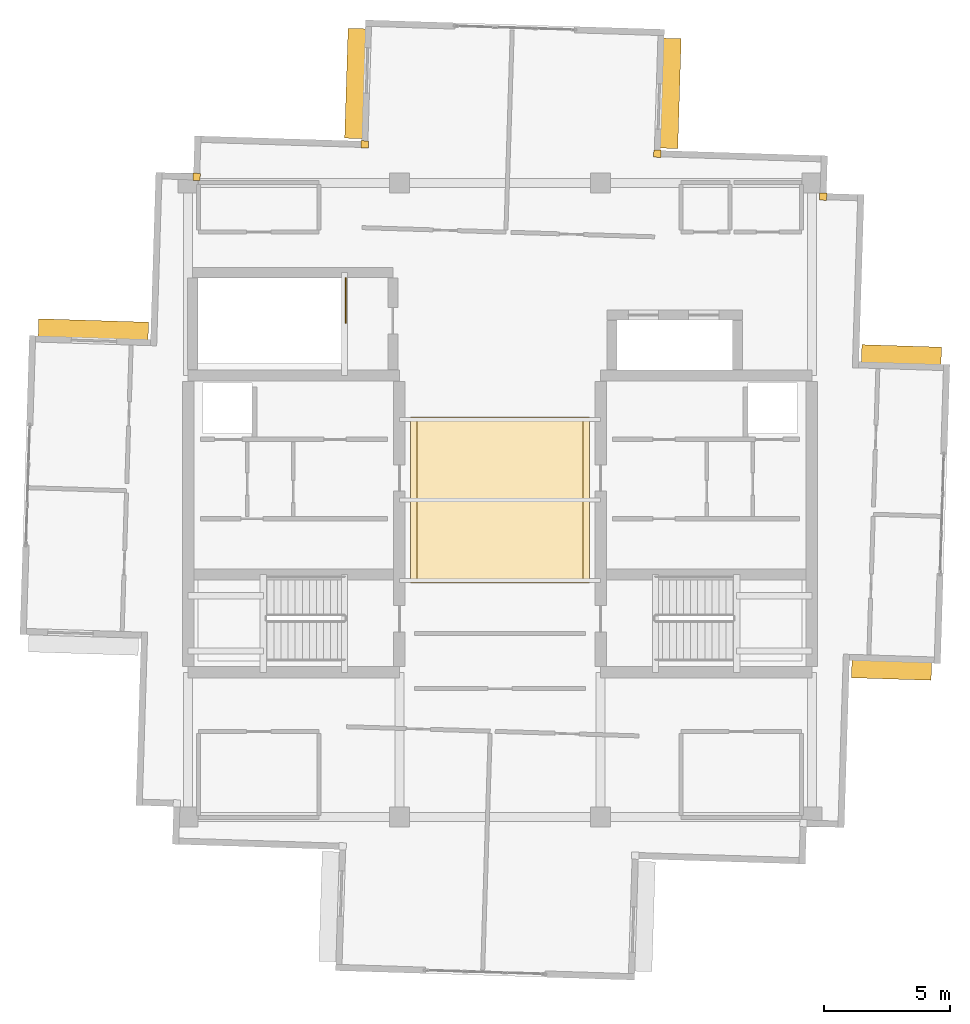
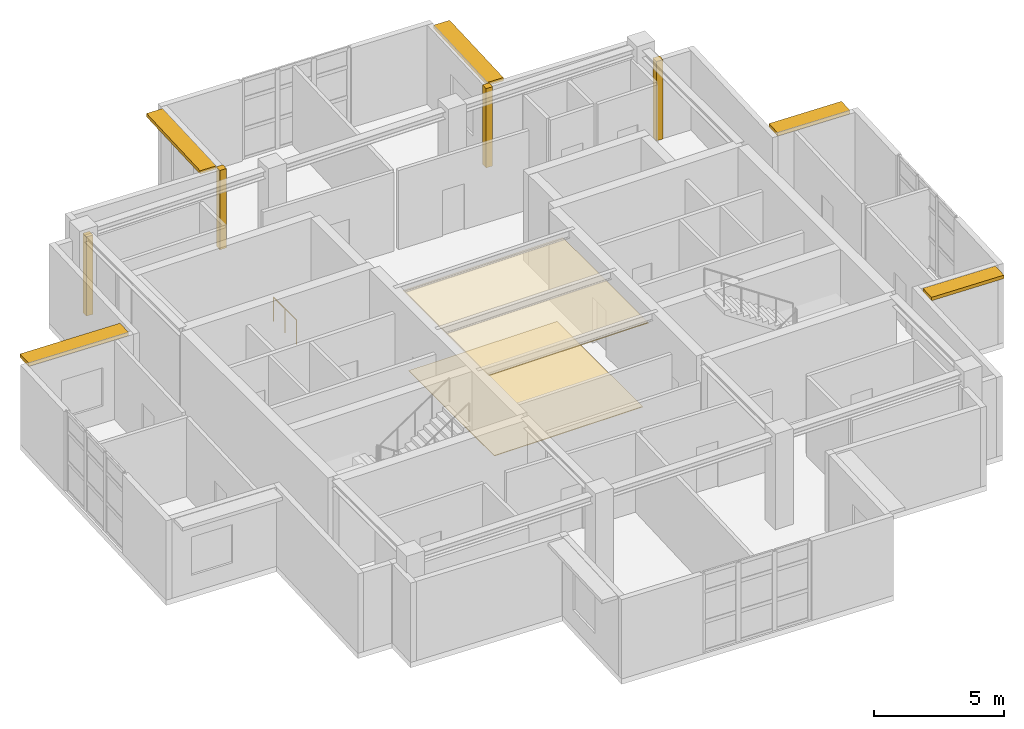
# One storey, part 14 of 14: 6 coverings, 5 shading devices, 1 railing.
"""IFC4 building model written with IfcOpenShell, lengths in metres."""

from ifc_helpers import new_model, si_unit, direction, frame, origin, origin_with_axes, origin_2d, place, context, subcontext, project, spatial, rectangle, circle, extrude, material, layer, layer_set, type_object, element, save


model = new_model("IFC4")

# Units and contexts
model_context = context("Model", 3, precision=1e-05, world=origin(), true_north=direction((0.0, 1.0)))
body_context = subcontext(model_context, "Body", "Model", "MODEL_VIEW")
ifc_project = project(units=[si_unit("LENGTHUNIT", "METRE"), si_unit("AREAUNIT", "SQUARE_METRE"), si_unit("VOLUMEUNIT", "CUBIC_METRE"), si_unit("PLANEANGLEUNIT", "RADIAN"), si_unit("MASSUNIT", "GRAM", prefix="KILO")], contexts=[model_context])

# Site, building, storey
site_placement = place(None, origin())
site = spatial("IfcSite", under=ifc_project, at=site_placement, CompositionType="ELEMENT")
building_placement = place(site_placement, origin())
building = spatial("IfcBuilding", under=site, at=building_placement, Name="Qingluan Cross Belvedere", CompositionType="ELEMENT")
storey_placement = place(building_placement, frame((0.0, 0.0, 317.39990234375)))
storey = spatial("IfcBuildingStorey", under=building, at=storey_placement, Name="L78", CompositionType="ELEMENT", Elevation=317.39990234375)

# Coverings
ifc_material_1 = material(Name="Perforated gypsum acoustic ceiling board")
ifc_layer_1 = layer(ifc_material_1, 0.0400390625, Name="AcousticLobbyCeiling_40")
ifc_layer_set_1 = layer_set([ifc_layer_1], Name="Perforated gypsum acoustic ceiling board")
covering_type_1 = type_object("IfcCoveringType", Name="AcousticLobbyCeiling_40", PredefinedType="CEILING", material=ifc_layer_set_1)
covering_1_placement = place(storey_placement, frame((0.0, 0.0, 3.860107421875), z_axis=(0.0, 0.0, 1.0), x_axis=(1.0, 0.0, 0.0)))
element("IfcCovering", 1, at=covering_1_placement, inside=storey, type_object=covering_type_1, Name="Central lobby acoustic ceiling L78", PredefinedType="CEILING", context=body_context, shape_type="SweptSolid", body=[
    extrude(rectangle(XDim=7.10009765625, YDim=6.60009765625, at=origin_2d()), origin(), (0.0, 0.0, 1.0), 0.0400390625),
])
ifc_material_2 = material(Name="Precast concrete C45", Category="concrete")
ifc_layer_2 = layer(ifc_material_2, 0.1201171875, Name="ConcreteSpandrelCladding_120")
ifc_layer_set_2 = layer_set([ifc_layer_2], Name="Precast concrete C45")
covering_type_2 = type_object("IfcCoveringType", Name="ConcreteSpandrelCladding_120", PredefinedType="CLADDING", material=ifc_layer_set_2)
for number, where, z_axis, x_axis, name in (
    (2, (12.84521484375, 12.0625, 0.0), (0.0, 0.0, 1.0), (0.999506560366, -0.031410759078, 0.0), "Corner closure L78-NE1"),
    (3, (6.255615234375, 13.770263671875, 0.0), (0.0, 0.0, 1.0), (0.999506560366, -0.031410759078, 0.0), "Corner closure L78-NE2"),
    (4, (-12.0625, 12.84521484375, 0.0), (0.0, 0.0, 1.0), (0.999506560366, -0.031410759078, 0.0), "Corner closure L78-NW1"),
    (5, (-5.378662109375, 14.135986328125, 0.0), (0.0, 0.0, 1.0), (0.999506560366, -0.031410759078, 0.0), "Corner closure L78-NW2"),
):
    element("IfcCovering", number, at=place(storey_placement, frame(where, z_axis=z_axis, x_axis=x_axis)), inside=storey, type_object=covering_type_2, Name=name, PredefinedType="CLADDING", context=body_context, shape_type="SweptSolid", body=[
        extrude(rectangle(XDim=0.2900390625, YDim=0.2900390625, at=origin_2d()), origin(), (0.0, 0.0, 1.0), 3.72998046875),
    ])

# Shading devices
ifc_material_3 = material(Name="Precast concrete C45", Category="concrete")
ifc_layer_3 = layer(ifc_material_3, 0.139892578125, Name="ConcreteSunshadeBand_700")
ifc_layer_set_3 = layer_set([ifc_layer_3], Name="Precast concrete C45")
shading_device_type = type_object("IfcShadingDeviceType", Name="ConcreteSunshadeBand_700", PredefinedType="USERDEFINED", material=ifc_layer_set_3)
for number, where, z_axis, x_axis, name in (
    (6, (15.565185546875, -6.76708984375, 3.55029296875), (0.0, 0.0, 1.0), (0.999506152566, -0.031423732806, 0.0), "Concrete SUNSHADE L78-EA"),
    (7, (15.959228515625, 5.776611328125, 3.55029296875), (0.0, 0.0, 1.0), (-0.999507054857, 0.031395020152, 0.0), "Concrete SUNSHADE L78-EB"),
):
    element("IfcShadingDevice", number, at=place(storey_placement, frame(where, z_axis=z_axis, x_axis=x_axis)), inside=storey, type_object=shading_device_type, Name=name, ObjectType="SUNSHADE", PredefinedType="USERDEFINED", context=body_context, shape_type="SweptSolid", body=[
        extrude(rectangle(XDim=3.169921875, YDim=0.699951171875, at=origin_2d()), origin(), (0.0, 0.0, 1.0), 0.159912109375),
    ])
for number, where, z_axis, x_axis, name in (
    (8, (6.7861328125, 16.164794921875, 3.55029296875), (0.0, 0.0, 1.0), (0.031421929952, 0.999506209244, 0.0), "Concrete SUNSHADE L78-NA"),
    (9, (-5.7578125, 16.55908203125, 3.55029296875), (0.0, 0.0, 1.0), (-0.031400756733, -0.999506874652, 0.0), "Concrete SUNSHADE L78-NB"),
    (10, (-16.164794921875, 6.7861328125, 3.55029296875), (0.0, 0.0, 1.0), (-0.999506209244, 0.031421929952, 0.0), "Concrete SUNSHADE L78-WA"),
):
    element("IfcShadingDevice", number, at=place(storey_placement, frame(where, z_axis=z_axis, x_axis=x_axis)), inside=storey, type_object=shading_device_type, Name=name, ObjectType="SUNSHADE", PredefinedType="USERDEFINED", context=body_context, shape_type="SweptSolid", body=[
        extrude(rectangle(XDim=4.3701171875, YDim=0.699951171875, at=origin_2d()), origin(), (0.0, 0.0, 1.0), 0.159912109375),
    ])

# Covering
ifc_material_4 = material(Name="Honed Hubei grey granite stone flooring", Category="masonry")
ifc_layer_4 = layer(ifc_material_4, 0.030029296875, Name="GraniteLobbyFlooring_30")
ifc_layer_set_4 = layer_set([ifc_layer_4], Name="Honed Hubei grey granite stone flooring")
covering_type_3 = type_object("IfcCoveringType", Name="GraniteLobbyFlooring_30", PredefinedType="FLOORING", material=ifc_layer_set_4)
covering_2_placement = place(storey_placement, origin_with_axes())
element("IfcCovering", 11, at=covering_2_placement, inside=storey, type_object=covering_type_3, Name="Central lobby granite flooring L78", PredefinedType="FLOORING", context=body_context, shape_type="SweptSolid", body=[
    extrude(rectangle(XDim=6.60009765625, YDim=6.60009765625, at=origin_2d()), origin(), (0.0, 0.0, 1.0), 0.030029296875),
])

# Railing
ifc_material_5 = material(Name="Painted steel stair well guard", Category="steel")
railing_type = type_object("IfcRailingType", Name="StairWellGuard_1150", PredefinedType="BALUSTRADE", material=ifc_material_5)
railing_placement = place(storey_placement, frame((-6.1298828125, 8.820068359375, 0.0)))
element("IfcRailing", 12, at=railing_placement, inside=storey, type_object=railing_type, Name="L78 ST3 top well guard 1", PredefinedType="BALUSTRADE", context=body_context, shape_type="SweptSolid", body=[
    extrude(circle(Radius=0.02392578125, at=origin_2d()), frame((0.0, 0.0, 1.1259765625), z_axis=(0.0, -1.0, 0.0), x_axis=(1.0, 0.0, 0.0)), (0.0, 0.0, 1.0), 1.780029296875),
    extrude(circle(Radius=0.02099609375, at=origin_2d()), origin(), (0.0, 0.0, 1.0), 1.101806640625),
    extrude(circle(Radius=0.02099609375, at=origin_2d()), frame((0.0, -0.89013671875, 0.0)), (0.0, 0.0, 1.0), 1.101806640625),
    extrude(circle(Radius=0.02099609375, at=origin_2d()), frame((0.0, -1.780029296875, 0.0)), (0.0, 0.0, 1.0), 1.101806640625),
])

save(model, "model.ifc")
